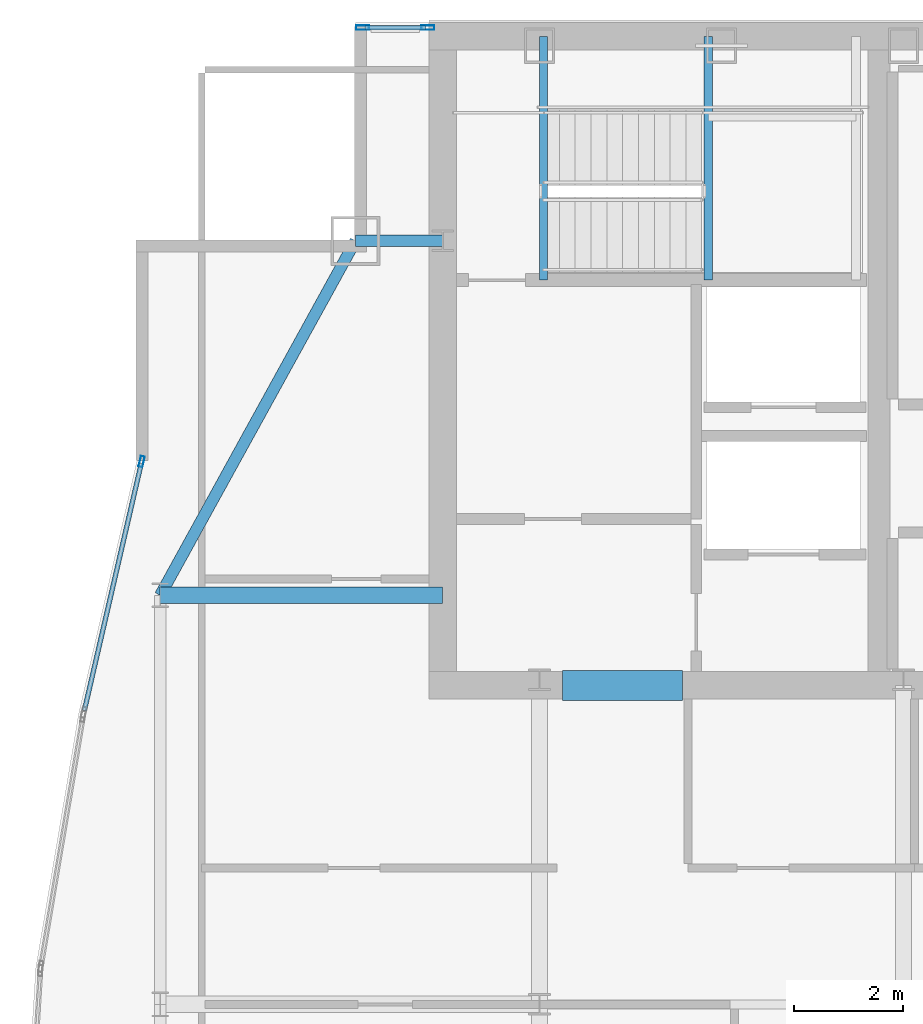
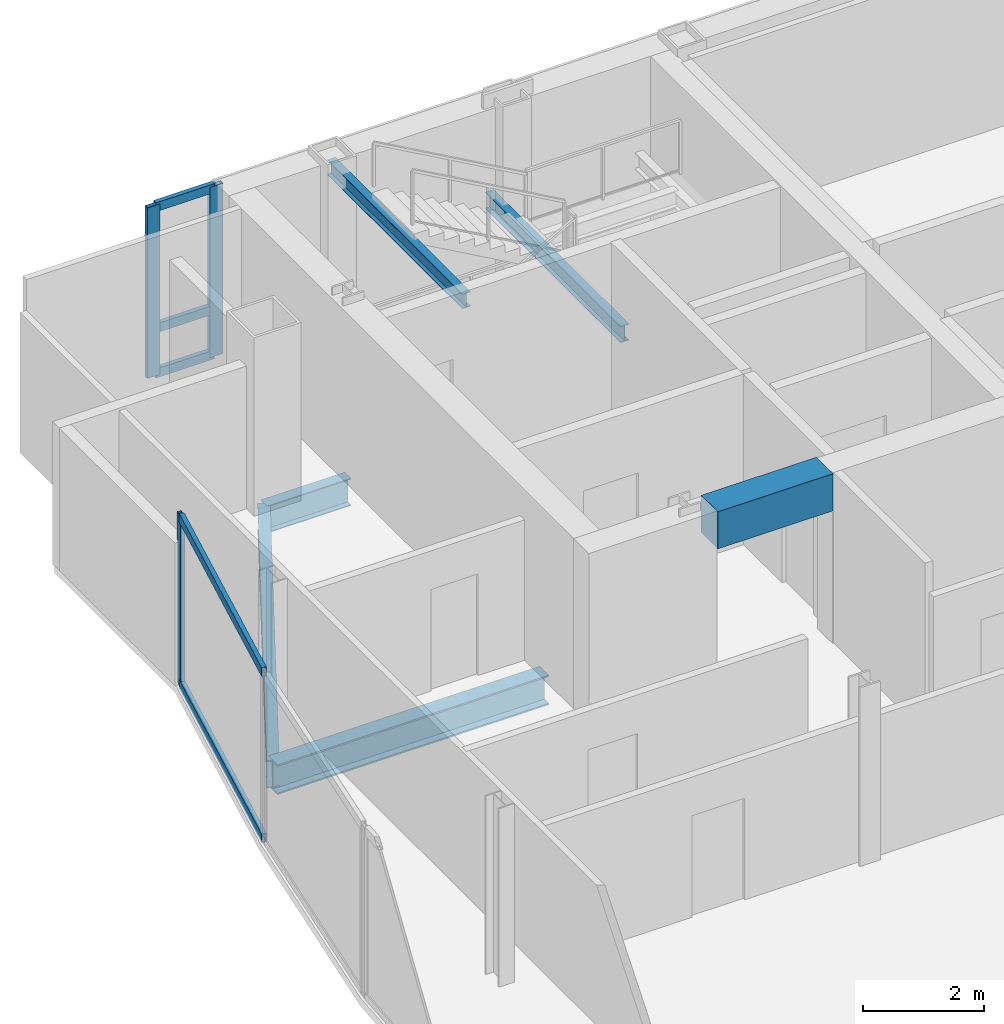
# One storey, part 20 of 29: 8 members, 6 beams, 2 elements without a shape of their own.
"""IFC4 building model written with IfcOpenShell, lengths in metres."""

from ifc_helpers import new_model, si_unit, direction, frame, origin, origin_2d, place, context, subcontext, project, spatial, rectangle, hollow_rectangle, i_section, extrude, material, material_profile, profile_set, type_object, element, aggregate, save


model = new_model("IFC4")

# Units and contexts
model_context = context("Model", 3, precision=1e-05, world=origin(), true_north=direction((0.0, 1.0)))
body_context = subcontext(model_context, "Body", "Model", "MODEL_VIEW")
ifc_project = project(units=[si_unit("LENGTHUNIT", "METRE"), si_unit("AREAUNIT", "SQUARE_METRE"), si_unit("VOLUMEUNIT", "CUBIC_METRE"), si_unit("PLANEANGLEUNIT", "RADIAN"), si_unit("MASSUNIT", "GRAM", prefix="KILO")], contexts=[model_context])

# Site, building, storey
site_placement = place(None, origin())
site = spatial("IfcSite", under=ifc_project, at=site_placement, CompositionType="ELEMENT")
building_placement = place(site_placement, origin())
building = spatial("IfcBuilding", under=site, at=building_placement, Name="Khoronbel Lancet Exchange", CompositionType="ELEMENT")
storey_placement = place(building_placement, frame((0.0, 0.0, 321.800048828125)))
storey = spatial("IfcBuildingStorey", under=building, at=storey_placement, Name="L83", CompositionType="ELEMENT", Elevation=321.800048828125)

# Beams
ifc_material_1 = material(Name="Steel S355", Category="steel")
ifc_material_profile_1 = material_profile(ifc_material_1, i_section(OverallWidth=0.300048828125, OverallDepth=0.60009765625, WebThickness=0.015380859375, FlangeThickness=0.030029296875, at=origin_2d()), Name="HEB 600")
ifc_profile_set_1 = profile_set([ifc_material_profile_1], Name="Steel S355")
beam_type_1 = type_object("IfcBeamType", Name="BM-BG5", PredefinedType="BEAM", material=ifc_profile_set_1)
beam_1_placement = place(storey_placement, frame((11.27001953125, 43.199951171875, -0.4599609375), z_axis=(1.0, 0.0, 0.0), x_axis=(0.0, 1.0, 0.0)))
element("IfcBeam", 1, at=beam_1_placement, inside=storey, type_object=beam_type_1, Name="Level L83 west lens tie girder LG3W", PredefinedType="BEAM", context=body_context, shape_type="SweptSolid", body=[
    extrude(i_section(OverallWidth=0.300048828125, OverallDepth=0.60009765625, WebThickness=0.015380859375, FlangeThickness=0.030029296875, at=origin_2d()), origin(), (0.0, 0.0, 1.0), 5.179931640625),
])
ifc_material_profile_2 = material_profile(ifc_material_1, i_section(OverallWidth=0.159912109375, OverallDepth=0.330078125, WebThickness=0.007568359375, FlangeThickness=0.011474609375, at=origin_2d()), Name="IPE 330")
ifc_profile_set_2 = profile_set([ifc_material_profile_2], Name="Steel S355")
beam_type_2 = type_object("IfcBeamType", Name="BM-BJ7", PredefinedType="JOIST", material=ifc_profile_set_2)
beam_2_placement = place(storey_placement, frame((21.320068359375, 48.97998046875, 1.43505859375), z_axis=(0.0, 1.0, 0.0), x_axis=(-1.0, 0.0, 0.0)))
element("IfcBeam", 2, at=beam_2_placement, inside=storey, type_object=beam_type_2, Name="Level L83 stair ST1 landing bearer beam 1", PredefinedType="JOIST", context=body_context, shape_type="SweptSolid", body=[
    extrude(i_section(OverallWidth=0.159912109375, OverallDepth=0.330078125, WebThickness=0.007568359375, FlangeThickness=0.011474609375, at=origin_2d()), origin(), (0.0, 0.0, 1.0), 4.469970703125),
])
ifc_material_profile_3 = material_profile(ifc_material_1, i_section(OverallWidth=0.14990234375, OverallDepth=0.300048828125, WebThickness=0.007080078125, FlangeThickness=0.0107421875, at=origin_2d()), Name="IPE 300")
ifc_profile_set_3 = profile_set([ifc_material_profile_3], Name="Steel S355")
beam_type_3 = type_object("IfcBeamType", Name="BM-BJ8", PredefinedType="JOIST", material=ifc_profile_set_3)
beam_3_placement = place(storey_placement, frame((18.300048828125, 48.97998046875, 3.159912109375), z_axis=(0.0, 1.0, 0.0), x_axis=(-1.0, 0.0, 0.0)))
element("IfcBeam", 3, at=beam_3_placement, inside=storey, type_object=beam_type_3, Name="Level L83 stair ST1 upper-flight arrival trimmer beam", PredefinedType="JOIST", context=body_context, shape_type="SweptSolid", body=[
    extrude(i_section(OverallWidth=0.14990234375, OverallDepth=0.300048828125, WebThickness=0.007080078125, FlangeThickness=0.0107421875, at=origin_2d()), origin(), (0.0, 0.0, 1.0), 4.469970703125),
])
ifc_material_2 = material(Name="Concrete C60/75", Category="concrete")
ifc_material_profile_4 = material_profile(ifc_material_2, rectangle(XDim=0.550048828125, YDim=0.75, at=origin_2d()), Name="RC 550x750")
ifc_profile_set_4 = profile_set([ifc_material_profile_4], Name="Concrete C60/75")
beam_type_4 = type_object("IfcBeamType", Name="BM-BL2", PredefinedType="LINTEL", material=ifc_profile_set_4)
beam_4_placement = place(storey_placement, frame((18.64990234375, 41.550048828125, 3.06494140625), z_axis=(1.0, 0.0, 0.0), x_axis=(0.0, 1.0, 0.0)))
element("IfcBeam", 4, at=beam_4_placement, inside=storey, type_object=beam_type_4, Name="Level L83 rear core coupling lintel L1", PredefinedType="LINTEL", context=body_context, shape_type="SweptSolid", body=[
    extrude(rectangle(XDim=0.550048828125, YDim=0.75, at=origin_2d()), origin(), (0.0, 0.0, 1.0), 2.2001953125),
])
ifc_material_profile_5 = material_profile(ifc_material_1, i_section(OverallWidth=0.2099609375, OverallDepth=0.550048828125, WebThickness=0.010986328125, FlangeThickness=0.01708984375, at=origin_2d()), Name="IPE 550")
ifc_profile_set_5 = profile_set([ifc_material_profile_5], Name="Steel S355")
beam_type_5 = type_object("IfcBeamType", Name="BM-BSP3", PredefinedType="SPANDREL", material=ifc_profile_set_5)
beam_5_placement = place(storey_placement, frame((14.85009765625, 49.699951171875, -0.43505859375), z_axis=(-0.482444051088, -0.875926787791, 0.0), x_axis=(0.875926787791, -0.482444051088, 0.0)))
element("IfcBeam", 5, at=beam_5_placement, inside=storey, type_object=beam_type_5, Name="Level L83 perimeter spandrel beam SP14", PredefinedType="SPANDREL", context=body_context, shape_type="SweptSolid", body=[
    extrude(i_section(OverallWidth=0.2099609375, OverallDepth=0.550048828125, WebThickness=0.010986328125, FlangeThickness=0.01708984375, at=origin_2d()), origin(), (0.0, 0.0, 1.0), 7.420654296875),
])
beam_6_placement = place(storey_placement, frame((14.85009765625, 49.699951171875, -0.43505859375), z_axis=(1.0, 0.0, 0.0), x_axis=(0.0, 1.0, 0.0)))
element("IfcBeam", 6, at=beam_6_placement, inside=storey, type_object=beam_type_5, Name="Level L83 north flank tie spandrel SP20", PredefinedType="SPANDREL", context=body_context, shape_type="SweptSolid", body=[
    extrude(i_section(OverallWidth=0.2099609375, OverallDepth=0.550048828125, WebThickness=0.010986328125, FlangeThickness=0.01708984375, at=origin_2d()), origin(), (0.0, 0.0, 1.0), 1.599853515625),
])

# Curtain wall, members
ifc_material_3 = material(Name="Low-E Solar Control Insulating Glass", Category="glass")
curtain_wall_type_1 = type_object("IfcCurtainWallType", Name="CW-3", PredefinedType="NOTDEFINED", material=ifc_material_3)
curtain_wall_1_placement = place(storey_placement, origin())
curtain_wall_1 = element("IfcCurtainWall", 7, at=curtain_wall_1_placement, inside=storey, type_object=curtain_wall_type_1, Name="Unitised curtain wall CW-L83-NWFLK", PredefinedType="NOTDEFINED")
ifc_material_4 = material(Name="Bronze-Anodised Aluminium 6063-T6", Category="aluminium")
ifc_material_profile_6 = material_profile(ifc_material_4, hollow_rectangle(XDim=0.0849609375, YDim=0.239990234375, WallThickness=0.006103515625, at=origin_2d()), Name="ALU MULLION 85x240")
ifc_profile_set_6 = profile_set([ifc_material_profile_6], Name="Bronze-Anodised Aluminium 6063-T6")
member_type_1 = type_object("IfcMemberType", Name="MEM-CWM1", PredefinedType="MULLION", material=ifc_profile_set_6)
member_1_placement = place(storey_placement, frame((16.177490234375, 53.610107421875, 0.0), z_axis=(0.0, 0.0, 1.0), x_axis=(0.0, -1.0, 0.0)))
member_1 = element("IfcMember", 8, at=member_1_placement, type_object=member_type_1, Name="CW3 mullion 1", PredefinedType="MULLION", context=body_context, shape_type="SweptSolid", body=[
    extrude(hollow_rectangle(XDim=0.0849609375, YDim=0.239990234375, WallThickness=0.006103515625, at=origin_2d()), origin(), (0.0, 0.0, 1.0), 3.43994140625),
])
member_2_placement = place(storey_placement, frame((14.982421875, 53.610107421875, 0.0), z_axis=(0.0, 0.0, 1.0), x_axis=(0.0, -1.0, 0.0)))
member_2 = element("IfcMember", 9, at=member_2_placement, type_object=member_type_1, Name="CW3 mullion 2", PredefinedType="MULLION", context=body_context, shape_type="SweptSolid", body=[
    extrude(hollow_rectangle(XDim=0.0849609375, YDim=0.239990234375, WallThickness=0.006103515625, at=origin_2d()), origin(), (0.0, 0.0, 1.0), 3.43994140625),
])

curtain_wall_type_2 = type_object("IfcCurtainWallType", Name="CW-4", PredefinedType="NOTDEFINED", material=ifc_material_3)
curtain_wall_2_placement = place(storey_placement, origin())
curtain_wall_2 = element("IfcCurtainWall", 10, at=curtain_wall_2_placement, inside=storey, type_object=curtain_wall_type_2, Name="Unitised curtain wall CW-L83-E09", PredefinedType="NOTDEFINED")
ifc_material_profile_7 = material_profile(ifc_material_4, hollow_rectangle(XDim=0.074951171875, YDim=0.199951171875, WallThickness=0.0048828125, at=origin_2d()), Name="ALU MULLION 75x200")
ifc_profile_set_7 = profile_set([ifc_material_profile_7], Name="Bronze-Anodised Aluminium 6063-T6")
member_type_2 = type_object("IfcMemberType", Name="MEM-CWM2", PredefinedType="MULLION", material=ifc_profile_set_7)
member_3_placement = place(storey_placement, frame((10.931640625, 45.6533203125, 0.0), z_axis=(0.0, 0.0, 1.0), x_axis=(-0.974479667701, 0.224475783189, 0.0)))
member_3 = element("IfcMember", 11, at=member_3_placement, type_object=member_type_2, Name="CW4 mullion 2", PredefinedType="MULLION", context=body_context, shape_type="SweptSolid", body=[
    extrude(hollow_rectangle(XDim=0.074951171875, YDim=0.199951171875, WallThickness=0.0048828125, at=origin_2d()), origin(), (0.0, 0.0, 1.0), 3.43994140625),
])
ifc_material_profile_8 = material_profile(ifc_material_4, hollow_rectangle(XDim=0.0849609375, YDim=0.179931640625, WallThickness=0.0048828125, at=origin_2d()), Name="ALU TRANSOM 85x180")
ifc_profile_set_8 = profile_set([ifc_material_profile_8], Name="Bronze-Anodised Aluminium 6063-T6")
member_type_3 = type_object("IfcMemberType", Name="MEM-CWT1", PredefinedType="USERDEFINED", material=ifc_profile_set_8)
member_4_placement = place(storey_placement, frame((9.880126953125, 41.0888671875, 0.04248046875), z_axis=(0.224468065106, 0.974481445564, 0.0), x_axis=(-0.974481445564, 0.224468065106, 0.0)))
member_4 = element("IfcMember", 12, at=member_4_placement, type_object=member_type_3, Name="CW4 transom 1.1", ObjectType="TRANSOM", PredefinedType="USERDEFINED", context=body_context, shape_type="SweptSolid", body=[
    extrude(hollow_rectangle(XDim=0.0849609375, YDim=0.179931640625, WallThickness=0.0048828125, at=origin_2d()), origin(), (0.0, 0.0, 1.0), 4.646484375),
])
member_5_placement = place(storey_placement, frame((9.880126953125, 41.0888671875, 3.3974609375), z_axis=(0.224468065106, 0.974481445564, 0.0), x_axis=(-0.974481445564, 0.224468065106, 0.0)))
member_5 = element("IfcMember", 13, at=member_5_placement, type_object=member_type_3, Name="CW4 transom 1.2", ObjectType="TRANSOM", PredefinedType="USERDEFINED", context=body_context, shape_type="SweptSolid", body=[
    extrude(hollow_rectangle(XDim=0.0849609375, YDim=0.179931640625, WallThickness=0.0048828125, at=origin_2d()), origin(), (0.0, 0.0, 1.0), 4.646484375),
])
aggregate(curtain_wall_2, [member_3, member_4, member_5])

# Member
member_6_placement = place(storey_placement, frame((16.135009765625, 53.610107421875, 0.04248046875), z_axis=(-1.0, 0.0, 0.0), x_axis=(0.0, -1.0, 0.0)))
member_6 = element("IfcMember", 14, at=member_6_placement, type_object=member_type_3, Name="CW3 transom 1.1", ObjectType="TRANSOM", PredefinedType="USERDEFINED", context=body_context, shape_type="SweptSolid", body=[
    extrude(hollow_rectangle(XDim=0.0849609375, YDim=0.179931640625, WallThickness=0.0048828125, at=origin_2d()), origin(), (0.0, 0.0, 1.0), 1.110107421875),
])

member_7_placement = place(storey_placement, frame((16.135009765625, 53.610107421875, 0.949951171875), z_axis=(-1.0, 0.0, 0.0), x_axis=(0.0, -1.0, 0.0)))
member_7 = element("IfcMember", 15, at=member_7_placement, type_object=member_type_3, Name="CW3 transom 1.2", ObjectType="TRANSOM", PredefinedType="USERDEFINED", context=body_context, shape_type="SweptSolid", body=[
    extrude(hollow_rectangle(XDim=0.0849609375, YDim=0.179931640625, WallThickness=0.0048828125, at=origin_2d()), origin(), (0.0, 0.0, 1.0), 1.110107421875),
])

member_8_placement = place(storey_placement, frame((16.135009765625, 53.610107421875, 3.3974609375), z_axis=(-1.0, 0.0, 0.0), x_axis=(0.0, -1.0, 0.0)))
member_8 = element("IfcMember", 16, at=member_8_placement, type_object=member_type_3, Name="CW3 transom 1.3", ObjectType="TRANSOM", PredefinedType="USERDEFINED", context=body_context, shape_type="SweptSolid", body=[
    extrude(hollow_rectangle(XDim=0.0849609375, YDim=0.179931640625, WallThickness=0.0048828125, at=origin_2d()), origin(), (0.0, 0.0, 1.0), 1.110107421875),
])

aggregate(curtain_wall_1, [member_1, member_2, member_6, member_7, member_8])

save(model, "model.ifc")
